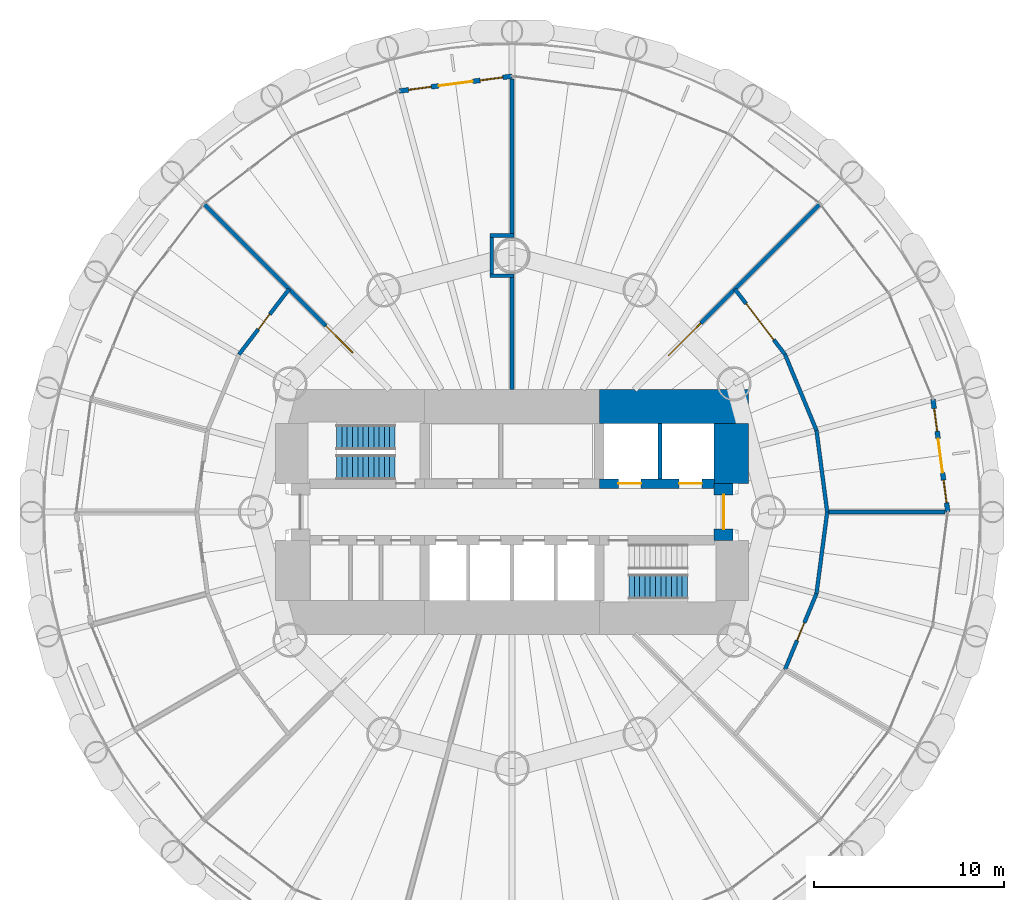
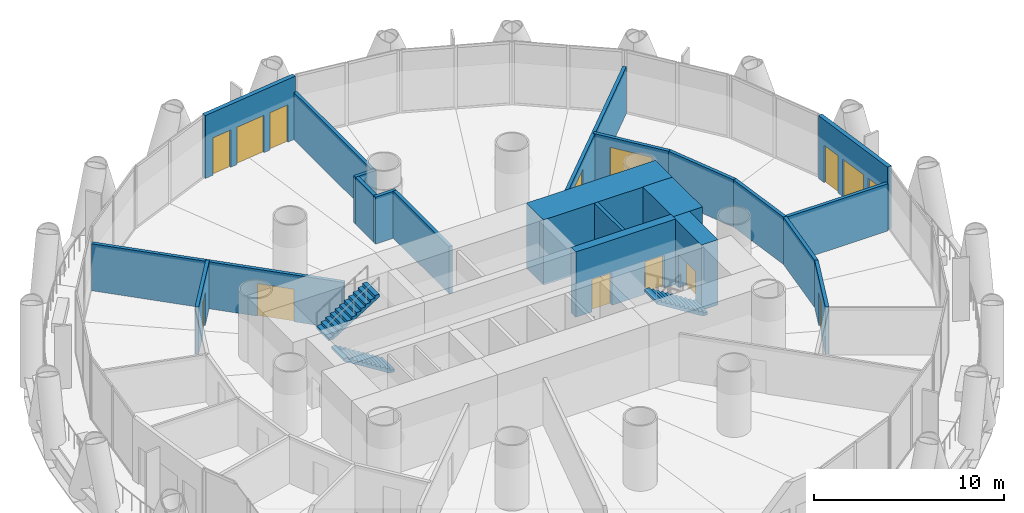
# One storey, part 11 of 16: 21 walls, 10 doors, 4 windows, 3 stair flights, 14 openings, 2 elements without a shape of their own.
"""IFC4 building model written with IfcOpenShell, lengths in metres."""

from ifc_helpers import new_model, si_unit, direction, frame, frame_2d, origin, place, context, subcontext, project, spatial, polyline, rectangle, outline, extrude, material, layer, layer_set, type_object, element, fill, aggregate, save


model = new_model("IFC4")

# Units and contexts
model_context = context("Model", 3, precision=1e-05, world=origin(), true_north=direction((0.0, 1.0)))
body_context = subcontext(model_context, "Body", "Model", "MODEL_VIEW")
ifc_project = project(units=[si_unit("LENGTHUNIT", "METRE"), si_unit("AREAUNIT", "SQUARE_METRE"), si_unit("VOLUMEUNIT", "CUBIC_METRE"), si_unit("PLANEANGLEUNIT", "RADIAN"), si_unit("MASSUNIT", "GRAM", prefix="KILO")], contexts=[model_context])

# Site, building, storey
site_placement = place(None, origin())
site = spatial("IfcSite", under=ifc_project, at=site_placement, CompositionType="ELEMENT")
building_placement = place(site_placement, origin())
building = spatial("IfcBuilding", under=site, at=building_placement, Name="Qaws Media Tower", CompositionType="ELEMENT")
storey_placement = place(building_placement, frame((0.0, 0.0, 105.800048828125)))
storey = spatial("IfcBuildingStorey", under=building, at=storey_placement, Name="L23", CompositionType="ELEMENT", Elevation=105.800048828125)

# Wall, openings, door, windows
ifc_material_1 = material(Name="Precast concrete, exposed finish", Category="concrete")
ifc_layer_1 = layer(ifc_material_1, 0.25)
ifc_layer_set_1 = layer_set([ifc_layer_1], Name="Balcony door wall 250")
wall_type_1 = type_object("IfcWallType", Name="Balcony door wall 250", PredefinedType="SOLIDWALL", material=ifc_layer_set_1)
wall_1_placement = place(storey_placement, frame((82.949951171875, 50.0, 0.0), z_axis=(0.0, 0.0, 1.0), x_axis=(-0.130521975708, 0.991445416479, 0.0)))
wall_1 = element("IfcWall", 1, at=wall_1_placement, inside=storey, type_object=wall_type_1, Name="W169 EW1 balcony door wall L23-01", PredefinedType="SOLIDWALL", context=body_context, shape_type="SweptSolid", body=[
    extrude(rectangle(XDim=5.9912109375, YDim=0.25, at=frame_2d((2.99560546875, 0.0))), origin(), (0.0, 0.0, 1.0), 4.0400390625),
])
opening_1_placement = place(wall_1_placement, frame((2.095458984375, 0.0, 0.0)))
opening_1 = element("IfcOpeningElement", 2, at=opening_1_placement, cuts=wall_1, Name="Opening D7", PredefinedType="OPENING", context=body_context, shape_type="SweptSolid", body=[
    extrude(rectangle(XDim=1.800048828125, YDim=2.39990234375, at=frame_2d((0.89990234375, 1.199951171875))), frame((0.0, 0.135009765625, 0.0), z_axis=(0.0, -1.0, 0.0), x_axis=(1.0, 0.0, 0.0)), (0.0, 0.0, 1.0), 0.27001953125),
])
opening_2_placement = place(wall_1_placement, frame((0.49560546875, 0.0, 0.0)))
opening_2 = element("IfcOpeningElement", 3, at=opening_2_placement, cuts=wall_1, Name="Opening W1", PredefinedType="OPENING", context=body_context, shape_type="SweptSolid", body=[
    extrude(rectangle(XDim=1.199951171875, YDim=2.39990234375, at=frame_2d((0.60009765625, 1.199951171875))), frame((0.0, 0.135009765625, 0.0), z_axis=(0.0, -1.0, 0.0), x_axis=(1.0, 0.0, 0.0)), (0.0, 0.0, 1.0), 0.27001953125),
])
opening_3_placement = place(wall_1_placement, frame((4.295654296875, 0.0, 0.0)))
opening_3 = element("IfcOpeningElement", 4, at=opening_3_placement, cuts=wall_1, Name="Opening W1", PredefinedType="OPENING", context=body_context, shape_type="SweptSolid", body=[
    extrude(rectangle(XDim=1.199951171875, YDim=2.39990234375, at=frame_2d((0.60009765625, 1.199951171875))), frame((0.0, 0.135009765625, 0.0), z_axis=(0.0, -1.0, 0.0), x_axis=(1.0, 0.0, 0.0)), (0.0, 0.0, 1.0), 0.27001953125),
])
ifc_material_2 = material(Name="Aluminium and clear glass", Category="aluminium")
door_type_1 = type_object("IfcDoorType", Name="Balcony door pair 1800", OperationType="DOUBLE_DOOR_SLIDING", PredefinedType="DOOR", material=ifc_material_2)
door_1_placement = place(opening_1_placement, origin())
door_1 = element("IfcDoor", 5, at=door_1_placement, inside=storey, type_object=door_type_1, Name="D7 balcony door L23-01 in wall W169", OperationType="DOUBLE_DOOR_SLIDING", OverallHeight=2.39990234375, OverallWidth=1.800048828125, PredefinedType="DOOR", context=body_context, shape_type="SweptSolid", body=[
    extrude(rectangle(XDim=1.800048828125, YDim=2.39990234375, at=frame_2d((0.89990234375, 1.199951171875))), frame((0.0, 0.02490234375, 0.0), z_axis=(0.0, -1.0, 0.0), x_axis=(1.0, 0.0, 0.0)), (0.0, 0.0, 1.0), 0.050048828125),
])
fill(opening_1, door_1)
ifc_material_3 = material(Name="Aluminium and clear glass", Category="aluminium")
window_type = type_object("IfcWindowType", Name="Balcony side window 1200", PartitioningType="SINGLE_PANEL", PredefinedType="WINDOW", material=ifc_material_3)
window_1_placement = place(opening_2_placement, origin())
window_1 = element("IfcWindow", 6, at=window_1_placement, inside=storey, type_object=window_type, Name="W1 balcony side light L23-01L", OverallHeight=2.39990234375, OverallWidth=1.199951171875, PartitioningType="SINGLE_PANEL", PredefinedType="WINDOW", context=body_context, shape_type="SweptSolid", body=[
    extrude(rectangle(XDim=1.199951171875, YDim=2.39990234375, at=frame_2d((0.60009765625, 1.199951171875))), frame((0.0, 0.030029296875, 0.0), z_axis=(0.0, -1.0, 0.0), x_axis=(1.0, 0.0, 0.0)), (0.0, 0.0, 1.0), 0.06005859375),
])
fill(opening_2, window_1)
window_2_placement = place(opening_3_placement, origin())
window_2 = element("IfcWindow", 7, at=window_2_placement, inside=storey, type_object=window_type, Name="W1 balcony side light L23-01R", OverallHeight=2.39990234375, OverallWidth=1.199951171875, PartitioningType="SINGLE_PANEL", PredefinedType="WINDOW", context=body_context, shape_type="SweptSolid", body=[
    extrude(rectangle(XDim=1.199951171875, YDim=2.39990234375, at=frame_2d((0.60009765625, 1.199951171875))), frame((0.0, 0.030029296875, 0.0), z_axis=(0.0, -1.0, 0.0), x_axis=(1.0, 0.0, 0.0)), (0.0, 0.0, 1.0), 0.06005859375),
])
fill(opening_3, window_2)

wall_2_placement = place(storey_placement, frame((60.0, 72.949951171875, 0.0), z_axis=(0.0, 0.0, 1.0), x_axis=(-0.991445416479, -0.130521975708, 0.0)))
wall_2 = element("IfcWall", 8, at=wall_2_placement, inside=storey, type_object=wall_type_1, Name="W168 EW1 balcony door wall L23-07", PredefinedType="SOLIDWALL", context=body_context, shape_type="SweptSolid", body=[
    extrude(rectangle(XDim=5.9912109375, YDim=0.25, at=frame_2d((2.99560546875, 0.0))), origin(), (0.0, 0.0, 1.0), 4.0400390625),
])
opening_4_placement = place(wall_2_placement, frame((2.095458984375, 0.0, 0.0)))
opening_4 = element("IfcOpeningElement", 9, at=opening_4_placement, cuts=wall_2, Name="Opening D7", PredefinedType="OPENING", context=body_context, shape_type="SweptSolid", body=[
    extrude(rectangle(XDim=1.800048828125, YDim=2.39990234375, at=frame_2d((0.89990234375, 1.199951171875))), frame((0.0, 0.135009765625, 0.0), z_axis=(0.0, -1.0, 0.0), x_axis=(1.0, 0.0, 0.0)), (0.0, 0.0, 1.0), 0.27001953125),
])
opening_5_placement = place(wall_2_placement, frame((0.49560546875, 0.0, 0.0)))
opening_5 = element("IfcOpeningElement", 10, at=opening_5_placement, cuts=wall_2, Name="Opening W1", PredefinedType="OPENING", context=body_context, shape_type="SweptSolid", body=[
    extrude(rectangle(XDim=1.199951171875, YDim=2.39990234375, at=frame_2d((0.60009765625, 1.199951171875))), frame((0.0, 0.135009765625, 0.0), z_axis=(0.0, -1.0, 0.0), x_axis=(1.0, 0.0, 0.0)), (0.0, 0.0, 1.0), 0.27001953125),
])
opening_6_placement = place(wall_2_placement, frame((4.295654296875, 0.0, 0.0)))
opening_6 = element("IfcOpeningElement", 11, at=opening_6_placement, cuts=wall_2, Name="Opening W1", PredefinedType="OPENING", context=body_context, shape_type="SweptSolid", body=[
    extrude(rectangle(XDim=1.199951171875, YDim=2.39990234375, at=frame_2d((0.60009765625, 1.199951171875))), frame((0.0, 0.135009765625, 0.0), z_axis=(0.0, -1.0, 0.0), x_axis=(1.0, 0.0, 0.0)), (0.0, 0.0, 1.0), 0.27001953125),
])
door_2_placement = place(opening_4_placement, origin())
door_2 = element("IfcDoor", 12, at=door_2_placement, inside=storey, type_object=door_type_1, Name="D7 balcony door L23-07 in wall W168", OperationType="DOUBLE_DOOR_SLIDING", OverallHeight=2.39990234375, OverallWidth=1.800048828125, PredefinedType="DOOR", context=body_context, shape_type="SweptSolid", body=[
    extrude(rectangle(XDim=1.800048828125, YDim=2.39990234375, at=frame_2d((0.89990234375, 1.199951171875))), frame((0.0, 0.02490234375, 0.0), z_axis=(0.0, -1.0, 0.0), x_axis=(1.0, 0.0, 0.0)), (0.0, 0.0, 1.0), 0.050048828125),
])
fill(opening_4, door_2)
window_3_placement = place(opening_5_placement, origin())
window_3 = element("IfcWindow", 13, at=window_3_placement, inside=storey, type_object=window_type, Name="W1 balcony side light L23-07L", OverallHeight=2.39990234375, OverallWidth=1.199951171875, PartitioningType="SINGLE_PANEL", PredefinedType="WINDOW", context=body_context, shape_type="SweptSolid", body=[
    extrude(rectangle(XDim=1.199951171875, YDim=2.39990234375, at=frame_2d((0.60009765625, 1.199951171875))), frame((0.0, 0.030029296875, 0.0), z_axis=(0.0, -1.0, 0.0), x_axis=(1.0, 0.0, 0.0)), (0.0, 0.0, 1.0), 0.06005859375),
])
fill(opening_5, window_3)
window_4_placement = place(opening_6_placement, origin())
window_4 = element("IfcWindow", 14, at=window_4_placement, inside=storey, type_object=window_type, Name="W1 balcony side light L23-07R", OverallHeight=2.39990234375, OverallWidth=1.199951171875, PartitioningType="SINGLE_PANEL", PredefinedType="WINDOW", context=body_context, shape_type="SweptSolid", body=[
    extrude(rectangle(XDim=1.199951171875, YDim=2.39990234375, at=frame_2d((0.60009765625, 1.199951171875))), frame((0.0, 0.030029296875, 0.0), z_axis=(0.0, -1.0, 0.0), x_axis=(1.0, 0.0, 0.0)), (0.0, 0.0, 1.0), 0.06005859375),
])
fill(opening_6, window_4)

# Wall, openings, doors
ifc_material_4 = material(Name="Concrete C60/75", Category="concrete")
ifc_layer_2 = layer(ifc_material_4, 0.5)
ifc_layer_set_2 = layer_set([ifc_layer_2], Name="Core inner wall 500")
wall_type_2 = type_object("IfcWallType", Name="Core inner wall 500", PredefinedType="SHEAR", material=ifc_layer_set_2)
wall_3_placement = place(storey_placement, frame((64.60009765625, 51.5, 0.0), z_axis=(0.0, 0.0, 1.0), x_axis=(1.0, 0.0, 0.0)))
wall_3 = element("IfcWall", 15, at=wall_3_placement, inside=storey, type_object=wall_type_2, Name="W344 SW12 core wall SPNE L23", PredefinedType="SHEAR", context=body_context, shape_type="SweptSolid", body=[
    extrude(rectangle(XDim=6.06982421875, YDim=0.5, at=frame_2d((3.034912109375, 0.0))), origin(), (0.0, 0.0, 1.0), 4.199951171875),
])
opening_7_placement = place(wall_3_placement, frame((1.0, 0.0, 0.0)))
opening_7 = element("IfcOpeningElement", 16, at=opening_7_placement, cuts=wall_3, Name="Opening LD2", PredefinedType="OPENING", context=body_context, shape_type="SweptSolid", body=[
    extrude(rectangle(XDim=1.199951171875, YDim=2.10009765625, at=frame_2d((0.60009765625, 1.050048828125))), frame((0.0, 0.260009765625, 0.0), z_axis=(0.0, -1.0, 0.0), x_axis=(1.0, 0.0, 0.0)), (0.0, 0.0, 1.0), 0.52001953125),
])
opening_8_placement = place(wall_3_placement, frame((4.199951171875, 0.0, 0.0)))
opening_8 = element("IfcOpeningElement", 17, at=opening_8_placement, cuts=wall_3, Name="Opening LD2", PredefinedType="OPENING", context=body_context, shape_type="SweptSolid", body=[
    extrude(rectangle(XDim=1.199951171875, YDim=2.10009765625, at=frame_2d((0.60009765625, 1.050048828125))), frame((0.0, 0.260009765625, 0.0), z_axis=(0.0, -1.0, 0.0), x_axis=(1.0, 0.0, 0.0)), (0.0, 0.0, 1.0), 0.52001953125),
])
ifc_material_5 = material(Name="Steel, fire rated", Category="steel")
door_type_2 = type_object("IfcDoorType", Name="Lift landing door 1200", OperationType="SLIDING_TO_LEFT", PredefinedType="DOOR", material=ifc_material_5)
door_3_placement = place(opening_7_placement, origin())
door_3 = element("IfcDoor", 18, at=door_3_placement, inside=storey, type_object=door_type_2, Name="FL1 landing door L23 in wall W344", OperationType="SLIDING_TO_LEFT", OverallHeight=2.10009765625, OverallWidth=1.199951171875, PredefinedType="DOOR", context=body_context, shape_type="SweptSolid", body=[
    extrude(rectangle(XDim=1.199951171875, YDim=2.10009765625, at=frame_2d((0.60009765625, 1.050048828125))), frame((0.0, 0.02490234375, 0.0), z_axis=(0.0, -1.0, 0.0), x_axis=(1.0, 0.0, 0.0)), (0.0, 0.0, 1.0), 0.050048828125),
])
fill(opening_7, door_3)
door_4_placement = place(opening_8_placement, origin())
door_4 = element("IfcDoor", 19, at=door_4_placement, inside=storey, type_object=door_type_2, Name="FL2 landing door L23 in wall W344", OperationType="SLIDING_TO_LEFT", OverallHeight=2.10009765625, OverallWidth=1.199951171875, PredefinedType="DOOR", context=body_context, shape_type="SweptSolid", body=[
    extrude(rectangle(XDim=1.199951171875, YDim=2.10009765625, at=frame_2d((0.60009765625, 1.050048828125))), frame((0.0, 0.02490234375, 0.0), z_axis=(0.0, -1.0, 0.0), x_axis=(1.0, 0.0, 0.0)), (0.0, 0.0, 1.0), 0.050048828125),
])
fill(opening_8, door_4)

# Wall, opening, door
ifc_material_6 = material(Name="Concrete C60/75", Category="concrete")
ifc_layer_3 = layer(ifc_material_6, 1.0)
ifc_layer_set_3 = layer_set([ifc_layer_3], Name="Core wall 1000")
wall_type_3 = type_object("IfcWallType", Name="Core wall 1000", PredefinedType="SHEAR", material=ifc_layer_set_3)
wall_4_placement = place(storey_placement, frame((71.14990234375, 48.5, 0.0), z_axis=(0.0, 0.0, 1.0), x_axis=(0.0, 1.0, 0.0)))
wall_4 = element("IfcWall", 20, at=wall_4_placement, inside=storey, type_object=wall_type_3, Name="W367 SW8 core wall E L23", PredefinedType="SHEAR", context=body_context, shape_type="SweptSolid", body=[
    extrude(rectangle(XDim=3.0, YDim=1.0, at=frame_2d((1.5, 0.0))), origin(), (0.0, 0.0, 1.0), 4.199951171875),
])
opening_9_placement = place(wall_4_placement, frame((0.60009765625, 0.0, 0.0)))
opening_9 = element("IfcOpeningElement", 21, at=opening_9_placement, cuts=wall_4, Name="Opening D2", PredefinedType="OPENING", context=body_context, shape_type="SweptSolid", body=[
    extrude(rectangle(XDim=1.800048828125, YDim=2.10009765625, at=frame_2d((0.89990234375, 1.050048828125))), frame((0.0, 0.510009765625, 0.0), z_axis=(0.0, -1.0, 0.0), x_axis=(1.0, 0.0, 0.0)), (0.0, 0.0, 1.0), 1.02001953125),
])
ifc_material_7 = material(Name="Steel and glass, fire rated", Category="steel")
door_type_3 = type_object("IfcDoorType", Name="Lobby door pair 1800 FD60", OperationType="DOUBLE_DOOR_DOUBLE_SWING", PredefinedType="DOOR", material=ifc_material_7)
door_5_placement = place(opening_9_placement, origin())
door_5 = element("IfcDoor", 22, at=door_5_placement, inside=storey, type_object=door_type_3, Name="D2 core lobby door E L23 in wall W367", OperationType="DOUBLE_DOOR_DOUBLE_SWING", OverallHeight=2.10009765625, OverallWidth=1.800048828125, PredefinedType="DOOR", context=body_context, shape_type="SweptSolid", body=[
    extrude(rectangle(XDim=1.800048828125, YDim=2.10009765625, at=frame_2d((0.89990234375, 1.050048828125))), frame((0.0, 0.02490234375, 0.0), z_axis=(0.0, -1.0, 0.0), x_axis=(1.0, 0.0, 0.0)), (0.0, 0.0, 1.0), 0.050048828125),
])
fill(opening_9, door_5)

# Walls
ifc_material_8 = material(Name="Concrete C60/75", Category="concrete")
ifc_layer_4 = layer(ifc_material_8, 1.800048828125)
ifc_layer_set_4 = layer_set([ifc_layer_4], Name="Core wall 1800")
wall_type_4 = type_object("IfcWallType", Name="Core wall 1800", PredefinedType="SHEAR", material=ifc_layer_set_4)
wall_5_placement = place(storey_placement, frame((64.60009765625, 55.550048828125, 0.0), z_axis=(0.0, 0.0, 1.0), x_axis=(1.0, 0.0, 0.0)))
element("IfcWall", 23, at=wall_5_placement, inside=storey, type_object=wall_type_4, Name="W423 SW11 core wall NE L23", PredefinedType="SHEAR", context=body_context, shape_type="SweptSolid", body=[
    extrude(rectangle(XDim=7.849853515625, YDim=1.800048828125, at=frame_2d((3.9248046875, 0.0))), origin(), (0.0, 0.0, 1.0), 4.199951171875),
])
wall_6_placement = place(storey_placement, frame((71.550048828125, 51.5, 0.0), z_axis=(0.0, 0.0, 1.0), x_axis=(0.0, 1.0, 0.0)))
element("IfcWall", 24, at=wall_6_placement, inside=storey, type_object=wall_type_4, Name="W425 SW11 core wall EN L23", PredefinedType="SHEAR", context=body_context, shape_type="SweptSolid", body=[
    extrude(rectangle(XDim=3.169921875, YDim=1.800048828125, at=frame_2d((1.5849609375, 0.0))), origin(), (0.0, 0.0, 1.0), 4.199951171875),
])

# Wall, opening, door
ifc_material_9 = material(Name="Gypsum board on galvanised metal studs, acoustic double stud, deflection head", Category="gypsum")
ifc_layer_5 = layer(ifc_material_9, 0.199951171875)
ifc_layer_set_5 = layer_set([ifc_layer_5], Name="Room partition 200")
wall_type_5 = type_object("IfcWallType", Name="Room partition 200", PredefinedType="PARTITIONING", material=ifc_layer_set_5)
wall_7_placement = place(storey_placement, frame((45.6240234375, 58.300048828125, 0.0), z_axis=(0.0, 0.0, 1.0), x_axis=(0.60874374674, 0.79336690806, 0.0)))
wall_7 = element("IfcWall", 25, at=wall_7_placement, inside=storey, type_object=wall_type_5, Name="W992 IW3 partition L23", PredefinedType="PARTITIONING", context=body_context, shape_type="SweptSolid", body=[
    extrude(rectangle(XDim=4.33349609375, YDim=0.199951171875, at=frame_2d((2.166748046875, 0.0))), origin(), (0.0, 0.0, 1.0), 3.0400390625),
])
opening_10_placement = place(wall_7_placement, frame((1.666748046875, 0.0, 0.0)))
opening_10 = element("IfcOpeningElement", 26, at=opening_10_placement, cuts=wall_7, Name="Opening D5", PredefinedType="OPENING", context=body_context, shape_type="SweptSolid", body=[
    extrude(rectangle(XDim=1.0, YDim=2.10009765625, at=frame_2d((0.5, 1.050048828125))), frame((0.0, 0.10986328125, 0.0), z_axis=(0.0, -1.0, 0.0), x_axis=(1.0, 0.0, 0.0)), (0.0, 0.0, 1.0), 0.219970703125),
])
ifc_material_10 = material(Name="Timber veneered, acoustic seal", Category="wood")
door_type_4 = type_object("IfcDoorType", Name="Room door 1000", OperationType="SINGLE_SWING_LEFT", PredefinedType="DOOR", material=ifc_material_10)
door_6_placement = place(opening_10_placement, origin())
door_6 = element("IfcDoor", 27, at=door_6_placement, inside=storey, type_object=door_type_4, Name="D5 Servery door L23 in wall W992", OperationType="SINGLE_SWING_LEFT", OverallHeight=2.10009765625, OverallWidth=1.0, PredefinedType="DOOR", context=body_context, shape_type="SweptSolid", body=[
    extrude(rectangle(XDim=1.0, YDim=2.10009765625, at=frame_2d((0.5, 1.050048828125))), frame((0.0, 0.02490234375, 0.0), z_axis=(0.0, -1.0, 0.0), x_axis=(1.0, 0.0, 0.0)), (0.0, 0.0, 1.0), 0.050048828125),
])
fill(opening_10, door_6)

wall_8_placement = place(storey_placement, frame((71.738037109375, 61.738037109375, 0.0), z_axis=(0.0, 0.0, 1.0), x_axis=(0.60874374674, -0.79336690806, 0.0)))
wall_8 = element("IfcWall", 28, at=wall_8_placement, inside=storey, type_object=wall_type_5, Name="W1012 IW3 partition L23", PredefinedType="PARTITIONING", context=body_context, shape_type="SweptSolid", body=[
    extrude(rectangle(XDim=4.33349609375, YDim=0.199951171875, at=frame_2d((2.166748046875, 0.0))), origin(), (0.0, 0.0, 1.0), 3.0400390625),
])
opening_11_placement = place(wall_8_placement, frame((0.966796875, 0.0, 0.0)))
opening_11 = element("IfcOpeningElement", 29, at=opening_11_placement, cuts=wall_8, Name="Opening D17", PredefinedType="OPENING", context=body_context, shape_type="SweptSolid", body=[
    extrude(rectangle(XDim=2.39990234375, YDim=2.39990234375, at=frame_2d((1.199951171875, 1.199951171875))), frame((0.0, 0.10986328125, 0.0), z_axis=(0.0, -1.0, 0.0), x_axis=(1.0, 0.0, 0.0)), (0.0, 0.0, 1.0), 0.219970703125),
])
ifc_material_11 = material(Name="Timber veneered, panic hardware", Category="wood")
door_type_5 = type_object("IfcDoorType", Name="Assembly room door pair 2400x2400", OperationType="DOUBLE_DOOR_DOUBLE_SWING", PredefinedType="DOOR", material=ifc_material_11)
door_7_placement = place(opening_11_placement, origin())
door_7 = element("IfcDoor", 30, at=door_7_placement, inside=storey, type_object=door_type_5, Name="D17 Staff restaurant door L23 in wall W1012", OperationType="DOUBLE_DOOR_DOUBLE_SWING", OverallHeight=2.39990234375, OverallWidth=2.39990234375, PredefinedType="DOOR", context=body_context, shape_type="SweptSolid", body=[
    extrude(rectangle(XDim=2.39990234375, YDim=2.39990234375, at=frame_2d((1.199951171875, 1.199951171875))), frame((0.0, 0.02490234375, 0.0), z_axis=(0.0, -1.0, 0.0), x_axis=(1.0, 0.0, 0.0)), (0.0, 0.0, 1.0), 0.050048828125),
])
fill(opening_11, door_7)

# Walls
for number, where, z_axis, x_axis, name in (
    (31, (74.3759765625, 58.300048828125, 0.0), (0.0, 0.0, 1.0), (0.382698425325, -0.923873322082, 0.0), "W1014 IW3 partition L23"),
    (32, (76.034423828125, 54.29638671875, 0.0), (0.0, 0.0, 1.0), (0.130536124221, -0.99144355375, 0.0), "W1016 IW3 partition L23"),
    (33, (76.60009765625, 50.0, 0.0), (0.0, 0.0, 1.0), (-0.130536124221, -0.99144355375, 0.0), "W1017 IW3 partition L23"),
):
    element("IfcWall", number, at=place(storey_placement, frame(where, z_axis=z_axis, x_axis=x_axis)), inside=storey, type_object=wall_type_5, Name=name, PredefinedType="PARTITIONING", context=body_context, shape_type="SweptSolid", body=[
        extrude(rectangle(XDim=4.33349609375, YDim=0.199951171875, at=frame_2d((2.166748046875, 0.0))), origin(), (0.0, 0.0, 1.0), 3.0400390625),
    ])

# Wall, opening, door
wall_9_placement = place(storey_placement, frame((76.034423828125, 45.70361328125, 0.0), z_axis=(0.0, 0.0, 1.0), x_axis=(-0.382698425325, -0.923873322082, 0.0)))
wall_9 = element("IfcWall", 34, at=wall_9_placement, inside=storey, type_object=wall_type_5, Name="W1015 IW3 partition L23", PredefinedType="PARTITIONING", context=body_context, shape_type="SweptSolid", body=[
    extrude(rectangle(XDim=4.33349609375, YDim=0.199951171875, at=frame_2d((2.166748046875, 0.0))), origin(), (0.0, 0.0, 1.0), 3.0400390625),
])
opening_12_placement = place(wall_9_placement, frame((1.666748046875, 0.0, 0.0)))
opening_12 = element("IfcOpeningElement", 35, at=opening_12_placement, cuts=wall_9, Name="Opening D5", PredefinedType="OPENING", context=body_context, shape_type="SweptSolid", body=[
    extrude(rectangle(XDim=1.0, YDim=2.10009765625, at=frame_2d((0.5, 1.050048828125))), frame((0.0, 0.10986328125, 0.0), z_axis=(0.0, -1.0, 0.0), x_axis=(1.0, 0.0, 0.0)), (0.0, 0.0, 1.0), 0.219970703125),
])
door_8_placement = place(opening_12_placement, origin())
door_8 = element("IfcDoor", 36, at=door_8_placement, inside=storey, type_object=door_type_4, Name="D5 Staff office door L23 in wall W1015", OperationType="SINGLE_SWING_LEFT", OverallHeight=2.10009765625, OverallWidth=1.0, PredefinedType="DOOR", context=body_context, shape_type="SweptSolid", body=[
    extrude(rectangle(XDim=1.0, YDim=2.10009765625, at=frame_2d((0.5, 1.050048828125))), frame((0.0, 0.02490234375, 0.0), z_axis=(0.0, -1.0, 0.0), x_axis=(1.0, 0.0, 0.0)), (0.0, 0.0, 1.0), 0.050048828125),
])
fill(opening_12, door_8)

# Wall
wall_10_placement = place(storey_placement, frame((76.60009765625, 50.0, 0.0), z_axis=(0.0, 0.0, 1.0), x_axis=(1.0, 0.0, 0.0)))
element("IfcWall", 37, at=wall_10_placement, inside=storey, type_object=wall_type_5, Name="W1213 IW3 partition L23", PredefinedType="PARTITIONING", context=body_context, shape_type="SweptSolid", body=[
    extrude(rectangle(XDim=6.2099609375, YDim=0.199951171875, at=frame_2d((3.10498046875, 0.0))), origin(), (0.0, 0.0, 1.0), 3.0400390625),
])

# Wall, opening, door
wall_11_placement = place(storey_placement, frame((66.449951171875, 56.449951171875, 0.0), z_axis=(0.0, 0.0, 1.0), x_axis=(0.707106781187, 0.707106781187, 0.0)))
wall_11 = element("IfcWall", 38, at=wall_11_placement, inside=storey, type_object=wall_type_5, Name="W1212 IW3 partition L23", PredefinedType="PARTITIONING", context=body_context, shape_type="SweptSolid", body=[
    extrude(rectangle(XDim=13.788330078125, YDim=0.199951171875, at=frame_2d((6.89404296875, 0.0))), origin(), (0.0, 0.0, 1.0), 3.02001953125),
])
opening_13_placement = place(wall_11_placement, frame((2.539306640625, 0.0, 0.0)))
opening_13 = element("IfcOpeningElement", 39, at=opening_13_placement, cuts=wall_11, Name="Opening D17", PredefinedType="OPENING", context=body_context, shape_type="SweptSolid", body=[
    extrude(rectangle(XDim=2.39990234375, YDim=2.39990234375, at=frame_2d((1.199951171875, 1.199951171875))), frame((0.0, 0.10986328125, 0.0), z_axis=(0.0, -1.0, 0.0), x_axis=(1.0, 0.0, 0.0)), (0.0, 0.0, 1.0), 0.219970703125),
])
door_9_placement = place(opening_13_placement, origin())
door_9 = element("IfcDoor", 40, at=door_9_placement, inside=storey, type_object=door_type_5, Name="D17 Staff restaurant door L23 in wall W1212", OperationType="DOUBLE_DOOR_DOUBLE_SWING", OverallHeight=2.39990234375, OverallWidth=2.39990234375, PredefinedType="DOOR", context=body_context, shape_type="SweptSolid", body=[
    extrude(rectangle(XDim=2.39990234375, YDim=2.39990234375, at=frame_2d((1.199951171875, 1.199951171875))), frame((0.0, 0.02490234375, 0.0), z_axis=(0.0, -1.0, 0.0), x_axis=(1.0, 0.0, 0.0)), (0.0, 0.0, 1.0), 0.050048828125),
])
fill(opening_13, door_9)

# Walls
for number, where, z_axis, x_axis, name in (
    (41, (60.10009765625, 62.43994140625, 0.0), (0.0, 0.0, 1.0), (-1.0, 0.0, 0.0), "W1210 IW3 partition return L23"),
    (42, (60.10009765625, 64.56005859375, 0.0), (0.0, 0.0, 1.0), (-1.0, 0.0, 0.0), "W1211 IW3 partition return L23"),
):
    element("IfcWall", number, at=place(storey_placement, frame(where, z_axis=z_axis, x_axis=x_axis)), inside=storey, type_object=wall_type_5, Name=name, PredefinedType="PARTITIONING", context=body_context, shape_type="SweptSolid", body=[
        extrude(rectangle(XDim=1.27001953125, YDim=0.199951171875, at=frame_2d((0.635009765625, 0.0))), origin(), (0.0, 0.0, 1.0), 3.02001953125),
    ])
wall_12_placement = place(storey_placement, frame((58.929931640625, 62.5400390625, 0.0), z_axis=(0.0, 0.0, 1.0), x_axis=(0.0, 1.0, 0.0)))
element("IfcWall", 43, at=wall_12_placement, inside=storey, type_object=wall_type_5, Name="W1206 IW3 partition return L23", PredefinedType="PARTITIONING", context=body_context, shape_type="SweptSolid", body=[
    extrude(rectangle(XDim=1.919921875, YDim=0.199951171875, at=frame_2d((0.9599609375, 0.0))), origin(), (0.0, 0.0, 1.0), 3.02001953125),
])
wall_13_placement = place(storey_placement, frame((60.0, 56.43994140625, 0.0), z_axis=(0.0, 0.0, 1.0), x_axis=(0.0, 1.0, 0.0)))
element("IfcWall", 44, at=wall_13_placement, inside=storey, type_object=wall_type_5, Name="W1208 IW3 partition L23", PredefinedType="PARTITIONING", context=body_context, shape_type="SweptSolid", body=[
    extrude(rectangle(XDim=5.900146484375, YDim=0.199951171875, at=frame_2d((2.9501953125, 0.0))), origin(), (0.0, 0.0, 1.0), 3.0400390625),
])
wall_14_placement = place(storey_placement, frame((60.0, 64.659912109375, 0.0), z_axis=(0.0, 0.0, 1.0), x_axis=(0.0, 1.0, 0.0)))
element("IfcWall", 45, at=wall_14_placement, inside=storey, type_object=wall_type_5, Name="W1209 IW3 partition L23", PredefinedType="PARTITIONING", context=body_context, shape_type="SweptSolid", body=[
    extrude(rectangle(XDim=8.150146484375, YDim=0.199951171875, at=frame_2d((4.0751953125, 0.0))), origin(), (0.0, 0.0, 1.0), 3.0400390625),
])

# Wall, opening, door
wall_15_placement = place(storey_placement, frame((53.550048828125, 56.449951171875, 0.0), z_axis=(0.0, 0.0, 1.0), x_axis=(-0.707106781187, 0.707106781187, 0.0)))
wall_15 = element("IfcWall", 46, at=wall_15_placement, inside=storey, type_object=wall_type_5, Name="W1204 IW3 partition L23", PredefinedType="PARTITIONING", context=body_context, shape_type="SweptSolid", body=[
    extrude(rectangle(XDim=13.788330078125, YDim=0.199951171875, at=frame_2d((6.89404296875, 0.0))), origin(), (0.0, 0.0, 1.0), 3.02001953125),
])
opening_14_placement = place(wall_15_placement, frame((2.7392578125, 0.0, 0.0)))
opening_14 = element("IfcOpeningElement", 47, at=opening_14_placement, cuts=wall_15, Name="Opening D6", PredefinedType="OPENING", context=body_context, shape_type="SweptSolid", body=[
    extrude(rectangle(XDim=2.0, YDim=2.10009765625, at=frame_2d((1.0, 1.050048828125))), frame((0.0, 0.10986328125, 0.0), z_axis=(0.0, -1.0, 0.0), x_axis=(1.0, 0.0, 0.0)), (0.0, 0.0, 1.0), 0.219970703125),
])
ifc_material_12 = material(Name="Steel, acoustic, fire rated", Category="steel")
door_type_6 = type_object("IfcDoorType", Name="Room door pair 2000", OperationType="DOUBLE_DOOR_DOUBLE_SWING", PredefinedType="DOOR", material=ifc_material_12)
door_10_placement = place(opening_14_placement, origin())
door_10 = element("IfcDoor", 48, at=door_10_placement, inside=storey, type_object=door_type_6, Name="D6 Staff library door L23 in wall W1204", OperationType="DOUBLE_DOOR_DOUBLE_SWING", OverallHeight=2.10009765625, OverallWidth=2.0, PredefinedType="DOOR", context=body_context, shape_type="SweptSolid", body=[
    extrude(rectangle(XDim=2.0, YDim=2.10009765625, at=frame_2d((1.0, 1.050048828125))), frame((0.0, 0.02490234375, 0.0), z_axis=(0.0, -1.0, 0.0), x_axis=(1.0, 0.0, 0.0)), (0.0, 0.0, 1.0), 0.050048828125),
])
fill(opening_14, door_10)

# Wall
ifc_material_13 = material(Name="Fire-rated gypsum board shaft wall on galvanised metal studs, deflection head", Category="gypsum")
ifc_layer_6 = layer(ifc_material_13, 0.199951171875)
ifc_layer_set_6 = layer_set([ifc_layer_6], Name="Shaft wall 200")
wall_type_6 = type_object("IfcWallType", Name="Shaft wall 200", PredefinedType="PARTITIONING", material=ifc_layer_set_6)
wall_16_placement = place(storey_placement, frame((67.800048828125, 51.75, 0.0), z_axis=(0.0, 0.0, 1.0), x_axis=(0.0, 1.0, 0.0)))
element("IfcWall", 49, at=wall_16_placement, inside=storey, type_object=wall_type_6, Name="W1859 IW1 shaft wall FL L23", PredefinedType="PARTITIONING", context=body_context, shape_type="SweptSolid", body=[
    extrude(rectangle(XDim=2.89990234375, YDim=0.199951171875, at=frame_2d((1.449951171875, 0.0))), origin(), (0.0, 0.0, 1.0), 4.199951171875),
])

# Stair, stair flights
ifc_material_14 = material(Name="Concrete C40/50", Category="concrete")
stair_type = type_object("IfcStairType", Name="Exit stair", PredefinedType="HALF_TURN_STAIR", material=ifc_material_14)
stair_1_placement = place(storey_placement, origin())
stair_1 = element("IfcStair", 50, at=stair_1_placement, inside=storey, type_object=stair_type, Name="S1 exit stair L23", PredefinedType="HALF_TURN_STAIR")
ifc_material_15 = material(Name="Concrete C40/50", Category="concrete")
stair_flight_type = type_object("IfcStairFlightType", Name="Stair flight 1310", PredefinedType="STRAIGHT", material=ifc_material_15)
stair_flight_1_placement = place(storey_placement, frame((53.840087890625, 52.35498046875, 0.0), z_axis=(0.0, 0.0, 1.0), x_axis=(-1.0, 0.0, 0.0)))
stair_flight_1 = element("IfcStairFlight", 51, at=stair_flight_1_placement, type_object=stair_flight_type, Name="S1 flight 1", NumberOfRisers=12, NumberOfTreads=11, PredefinedType="STRAIGHT", RiserHeight=0.175, TreadLength=0.28, context=body_context, shape_type="SweptSolid", body=[
    extrude(outline(polyline([(0.0, 0.0), (0.0, 0.175048828125), (0.280029296875, 0.175048828125), (0.280029296875, 0.35009765625), (0.56005859375, 0.35009765625), (0.56005859375, 0.52490234375), (0.840087890625, 0.52490234375), (0.840087890625, 0.699951171875), (1.1201171875, 0.699951171875), (1.1201171875, 0.875), (1.39990234375, 0.875), (1.39990234375, 1.050048828125), (1.679931640625, 1.050048828125), (1.679931640625, 1.22509765625), (1.9599609375, 1.22509765625), (1.9599609375, 1.39990234375), (2.239990234375, 1.39990234375), (2.239990234375, 1.574951171875), (2.52001953125, 1.574951171875), (2.52001953125, 1.75), (2.800048828125, 1.75), (2.800048828125, 1.925048828125), (3.080078125, 1.925048828125), (3.080078125, 2.10009765625), (3.080078125, 1.748291015625), (0.28271484375, 0.0), (0.0, 0.0)])), frame((0.0, 0.655029296875, 0.0), z_axis=(0.0, -1.0, 0.0), x_axis=(1.0, 0.0, 0.0)), (0.0, 0.0, 1.0), 1.31005859375),
])
stair_flight_2_placement = place(storey_placement, frame((50.760009765625, 53.945068359375, 2.099853515625), z_axis=(0.0, 0.0, 1.0), x_axis=(1.0, 0.0, 0.0)))
stair_flight_2 = element("IfcStairFlight", 52, at=stair_flight_2_placement, type_object=stair_flight_type, Name="S1 flight 2", NumberOfRisers=12, NumberOfTreads=11, PredefinedType="STRAIGHT", RiserHeight=0.175, TreadLength=0.28, context=body_context, shape_type="SweptSolid", body=[
    extrude(outline(polyline([(0.0, 0.0), (0.0, 0.175048828125), (0.280029296875, 0.175048828125), (0.280029296875, 0.35009765625), (0.56005859375, 0.35009765625), (0.56005859375, 0.52490234375), (0.840087890625, 0.52490234375), (0.840087890625, 0.699951171875), (1.1201171875, 0.699951171875), (1.1201171875, 0.875), (1.39990234375, 0.875), (1.39990234375, 1.050048828125), (1.679931640625, 1.050048828125), (1.679931640625, 1.22509765625), (1.9599609375, 1.22509765625), (1.9599609375, 1.39990234375), (2.239990234375, 1.39990234375), (2.239990234375, 1.574951171875), (2.52001953125, 1.574951171875), (2.52001953125, 1.75), (2.800048828125, 1.75), (2.800048828125, 1.925048828125), (3.080078125, 1.925048828125), (3.080078125, 2.10009765625), (3.080078125, 1.748291015625), (0.28271484375, 0.0), (0.0, 0.0)])), frame((0.0, 0.655029296875, 0.0), z_axis=(0.0, -1.0, 0.0), x_axis=(1.0, 0.0, 0.0)), (0.0, 0.0, 1.0), 1.31005859375),
])
aggregate(stair_1, [stair_flight_1, stair_flight_2])

# Stair, stair flight
stair_2_placement = place(storey_placement, origin())
stair_2 = element("IfcStair", 53, at=stair_2_placement, inside=storey, type_object=stair_type, Name="S2 exit stair L23", PredefinedType="HALF_TURN_STAIR")
stair_flight_3_placement = place(storey_placement, frame((69.239990234375, 46.054931640625, 2.099853515625), z_axis=(0.0, 0.0, 1.0), x_axis=(-1.0, 0.0, 0.0)))
stair_flight_3 = element("IfcStairFlight", 54, at=stair_flight_3_placement, type_object=stair_flight_type, Name="S2 flight 2", NumberOfRisers=12, NumberOfTreads=11, PredefinedType="STRAIGHT", RiserHeight=0.175, TreadLength=0.28, context=body_context, shape_type="SweptSolid", body=[
    extrude(outline(polyline([(0.0, 0.0), (0.0, 0.175048828125), (0.280029296875, 0.175048828125), (0.280029296875, 0.35009765625), (0.56005859375, 0.35009765625), (0.56005859375, 0.52490234375), (0.840087890625, 0.52490234375), (0.840087890625, 0.699951171875), (1.1201171875, 0.699951171875), (1.1201171875, 0.875), (1.39990234375, 0.875), (1.39990234375, 1.050048828125), (1.679931640625, 1.050048828125), (1.679931640625, 1.22509765625), (1.9599609375, 1.22509765625), (1.9599609375, 1.39990234375), (2.239990234375, 1.39990234375), (2.239990234375, 1.574951171875), (2.52001953125, 1.574951171875), (2.52001953125, 1.75), (2.800048828125, 1.75), (2.800048828125, 1.925048828125), (3.080078125, 1.925048828125), (3.080078125, 2.10009765625), (3.080078125, 1.748291015625), (0.28271484375, 0.0), (0.0, 0.0)])), frame((0.0, 0.655029296875, 0.0), z_axis=(0.0, -1.0, 0.0), x_axis=(1.0, 0.0, 0.0)), (0.0, 0.0, 1.0), 1.31005859375),
])
aggregate(stair_2, [stair_flight_3])

save(model, "model.ifc")
